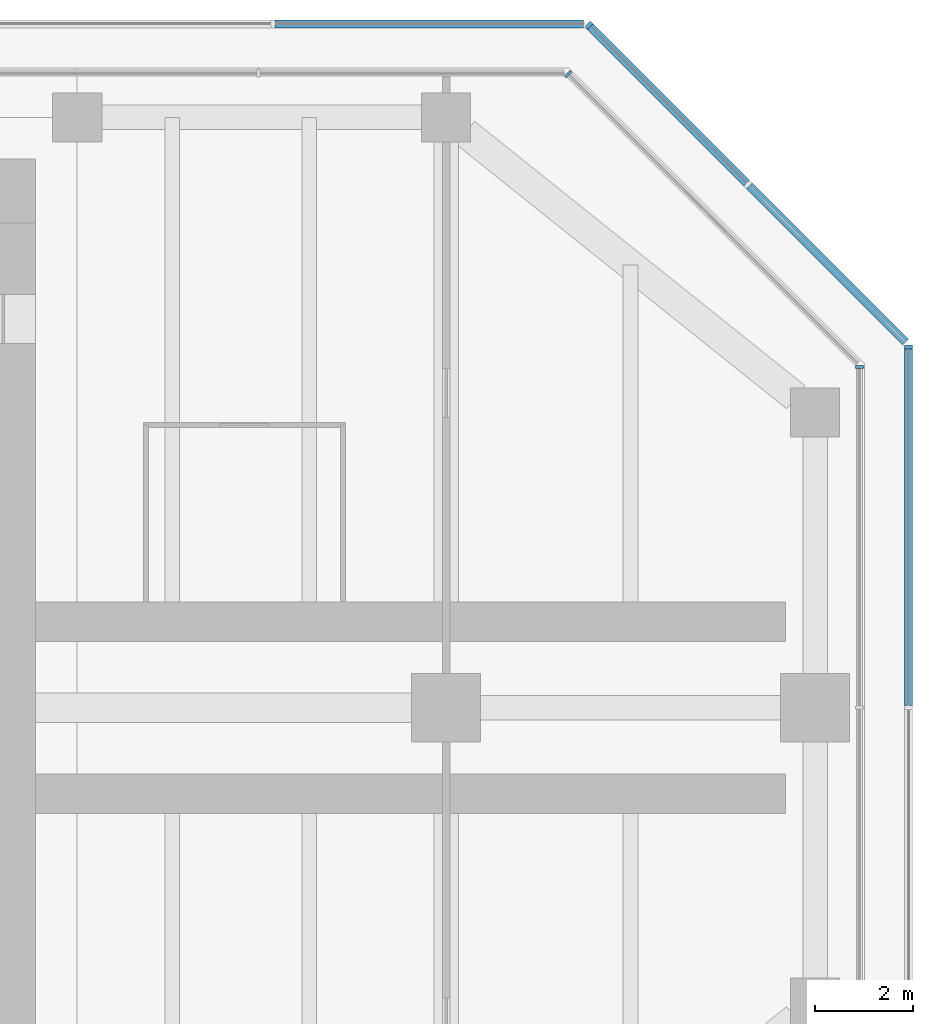
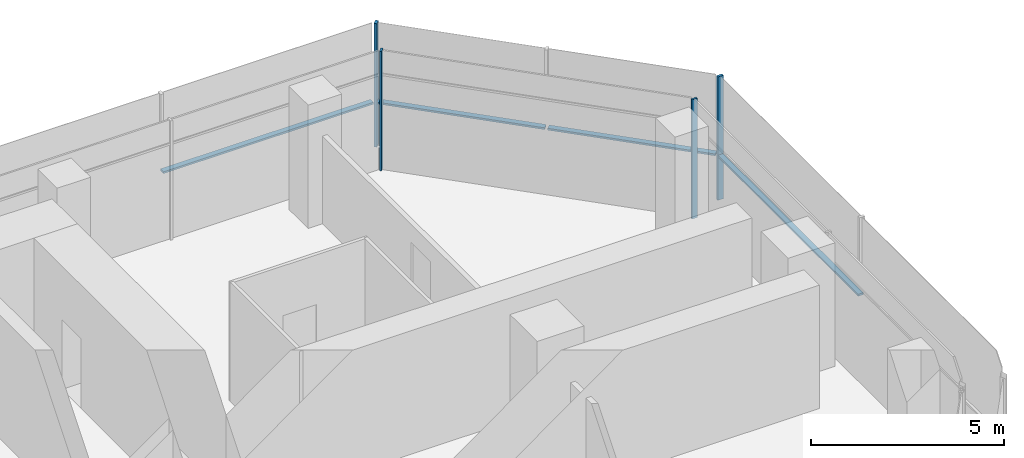
# One storey, part 8 of 15: 8 members, 5 elements without a shape of their own.
"""IFC4 building model written with IfcOpenShell, lengths in metres."""

from ifc_helpers import new_model, si_unit, direction, frame, origin, origin_2d, place, context, subcontext, project, spatial, rectangle, extrude, material, material_profile, profile_set, type_object, element, aggregate, save


model = new_model("IFC4")

# Units and contexts
model_context = context("Model", 3, precision=1e-05, world=origin(), true_north=direction((0.0, 1.0)))
body_context = subcontext(model_context, "Body", "Model", "MODEL_VIEW")
ifc_project = project(units=[si_unit("LENGTHUNIT", "METRE"), si_unit("AREAUNIT", "SQUARE_METRE"), si_unit("VOLUMEUNIT", "CUBIC_METRE"), si_unit("PLANEANGLEUNIT", "RADIAN"), si_unit("MASSUNIT", "GRAM", prefix="KILO")], contexts=[model_context])

# Site, building, storey
site_placement = place(None, origin())
site = spatial("IfcSite", under=ifc_project, at=site_placement, CompositionType="ELEMENT")
building_placement = place(site_placement, origin())
building = spatial("IfcBuilding", under=site, at=building_placement, Name="Mizan Broadcast Tower", CompositionType="ELEMENT")
storey_placement = place(building_placement, frame((0.0, 0.0, 298.5)))
storey = spatial("IfcBuildingStorey", under=building, at=storey_placement, Name="L71", CompositionType="ELEMENT", Elevation=298.5)

# Curtain wall, member
ifc_material_1 = material(Name="Aluminium framed glazing", Category="aluminium")
curtain_wall_type_1 = type_object("IfcCurtainWallType", Name="INNER SKIN TOP ZONE", PredefinedType="USERDEFINED", material=ifc_material_1)
curtain_wall_1_placement = place(storey_placement, origin())
curtain_wall_1 = element("IfcCurtainWall", 1, at=curtain_wall_1_placement, inside=storey, type_object=curtain_wall_type_1, Name="Inner skin top zone L71 E end", ObjectType="INNER SKIN TOP ZONE", PredefinedType="USERDEFINED")
ifc_material_2 = material(Name="Aluminium, pale anodised", Category="aluminium")
ifc_material_profile_1 = material_profile(ifc_material_2, rectangle(XDim=0.159912109375, YDim=0.06005859375, at=origin_2d()), Name="MULLION 160x60")
ifc_profile_set_1 = profile_set([ifc_material_profile_1], Name="Aluminium, pale anodised")
member_type_1 = type_object("IfcMemberType", Name="INNER SKIN MULLION 60x160", PredefinedType="MULLION", material=ifc_profile_set_1)
member_1_placement = place(storey_placement, frame((27.89990234375, 6.928466796875, 0.0), z_axis=(0.0, 0.0, 1.0), x_axis=(-1.0, 0.0, 0.0)))
member_1 = element("IfcMember", 2, at=member_1_placement, type_object=member_type_1, Name="Inner skin top zone L71 E end mullion 3", PredefinedType="MULLION", context=body_context, shape_type="SweptSolid", body=[
    extrude(rectangle(XDim=0.159912109375, YDim=0.06005859375, at=origin_2d()), origin(), (0.0, 0.0, 1.0), 3.77001953125),
])
aggregate(curtain_wall_1, [member_1])

curtain_wall_2_placement = place(storey_placement, origin())
curtain_wall_2 = element("IfcCurtainWall", 3, at=curtain_wall_2_placement, inside=storey, type_object=curtain_wall_type_1, Name="Inner skin top zone L71 E chamfer", ObjectType="INNER SKIN TOP ZONE", PredefinedType="USERDEFINED")
member_2_placement = place(storey_placement, frame((21.979736328125, 12.87890625, 0.0), z_axis=(0.0, 0.0, 1.0), x_axis=(-0.707106781187, -0.707106781187, 0.0)))
member_2 = element("IfcMember", 4, at=member_2_placement, type_object=member_type_1, Name="Inner skin top zone L71 E chamfer mullion 2", PredefinedType="MULLION", context=body_context, shape_type="SweptSolid", body=[
    extrude(rectangle(XDim=0.159912109375, YDim=0.06005859375, at=origin_2d()), origin(), (0.0, 0.0, 1.0), 3.77001953125),
])
aggregate(curtain_wall_2, [member_2])

ifc_material_3 = material(Name="Aluminium framed glazing", Category="aluminium")
curtain_wall_type_2 = type_object("IfcCurtainWallType", Name="OUTER SKIN", PredefinedType="USERDEFINED", material=ifc_material_3)
curtain_wall_3_placement = place(storey_placement, origin())
curtain_wall_3 = element("IfcCurtainWall", 5, at=curtain_wall_3_placement, inside=storey, type_object=curtain_wall_type_2, Name="Outer skin L71 E end", ObjectType="OUTER SKIN", PredefinedType="USERDEFINED")
ifc_material_4 = material(Name="Aluminium, pale anodised", Category="aluminium")
ifc_material_profile_2 = material_profile(ifc_material_4, rectangle(XDim=0.159912109375, YDim=0.080078125, at=origin_2d()), Name="MULLION 160x80")
ifc_profile_set_2 = profile_set([ifc_material_profile_2], Name="Aluminium, pale anodised")
member_type_2 = type_object("IfcMemberType", Name="OUTER SKIN MULLION 80x160", PredefinedType="MULLION", material=ifc_profile_set_2)
member_3_placement = place(storey_placement, frame((28.89990234375, 7.332763671875, 0.0), z_axis=(0.0, 0.0, 1.0), x_axis=(-1.0, 0.0, 0.0)))
member_3 = element("IfcMember", 6, at=member_3_placement, type_object=member_type_2, Name="Outer skin L71 E end mullion 3", PredefinedType="MULLION", context=body_context, shape_type="SweptSolid", body=[
    extrude(rectangle(XDim=0.159912109375, YDim=0.080078125, at=origin_2d()), origin(), (0.0, 0.0, 1.0), 3.89990234375),
])

curtain_wall_4_placement = place(storey_placement, origin())
curtain_wall_4 = element("IfcCurtainWall", 7, at=curtain_wall_4_placement, inside=storey, type_object=curtain_wall_type_2, Name="Outer skin L71 E chamfer", ObjectType="OUTER SKIN", PredefinedType="USERDEFINED")
member_4_placement = place(storey_placement, frame((22.401123046875, 13.871826171875, 0.0), z_axis=(0.0, 0.0, 1.0), x_axis=(-0.707106781187, -0.707106781187, 0.0)))
member_4 = element("IfcMember", 8, at=member_4_placement, type_object=member_type_2, Name="Outer skin L71 E chamfer mullion 3", PredefinedType="MULLION", context=body_context, shape_type="SweptSolid", body=[
    extrude(rectangle(XDim=0.159912109375, YDim=0.080078125, at=origin_2d()), origin(), (0.0, 0.0, 1.0), 3.89990234375),
])

# Member
ifc_material_5 = material(Name="Aluminium, pale anodised", Category="aluminium")
ifc_material_profile_3 = material_profile(ifc_material_5, rectangle(XDim=0.159912109375, YDim=0.06005859375, at=origin_2d()), Name="TRANSOM 160x60")
ifc_profile_set_3 = profile_set([ifc_material_profile_3], Name="Aluminium, pale anodised")
member_type_3 = type_object("IfcMemberType", Name="OUTER SKIN TRANSOM 60x160", PredefinedType="USERDEFINED", material=ifc_profile_set_3)
member_5_placement = place(storey_placement, frame((28.89990234375, 0.0400390625, 1.39990234375), z_axis=(0.0, 1.0, 0.0), x_axis=(-1.0, 0.0, 0.0)))
member_5 = element("IfcMember", 9, at=member_5_placement, type_object=member_type_3, Name="Outer skin L71 E end transom 2.1", ObjectType="TRANSOM", PredefinedType="USERDEFINED", context=body_context, shape_type="SweptSolid", body=[
    extrude(rectangle(XDim=0.159912109375, YDim=0.06005859375, at=origin_2d()), origin(), (0.0, 0.0, 1.0), 7.252685546875),
])

aggregate(curtain_wall_3, [member_3, member_5])

member_6_placement = place(storey_placement, frame((28.843505859375, 7.429443359375, 1.39990234375), z_axis=(-0.707106781187, 0.707106781187, 0.0), x_axis=(-0.707106781187, -0.707106781187, 0.0)))
member_6 = element("IfcMember", 10, at=member_6_placement, type_object=member_type_3, Name="Outer skin L71 E chamfer transom 1.1", ObjectType="TRANSOM", PredefinedType="USERDEFINED", context=body_context, shape_type="SweptSolid", body=[
    extrude(rectangle(XDim=0.159912109375, YDim=0.06005859375, at=origin_2d()), origin(), (0.0, 0.0, 1.0), 4.495361328125),
])

member_7_placement = place(storey_placement, frame((25.608154296875, 10.664794921875, 1.39990234375), z_axis=(-0.707106781187, 0.707106781187, 0.0), x_axis=(-0.707106781187, -0.707106781187, 0.0)))
member_7 = element("IfcMember", 11, at=member_7_placement, type_object=member_type_3, Name="Outer skin L71 E chamfer transom 2.1", ObjectType="TRANSOM", PredefinedType="USERDEFINED", context=body_context, shape_type="SweptSolid", body=[
    extrude(rectangle(XDim=0.159912109375, YDim=0.06005859375, at=origin_2d()), origin(), (0.0, 0.0, 1.0), 4.495361328125),
])

aggregate(curtain_wall_4, [member_4, member_6, member_7])

# Curtain wall, member
curtain_wall_5_placement = place(storey_placement, origin())
curtain_wall_5 = element("IfcCurtainWall", 12, at=curtain_wall_5_placement, inside=storey, type_object=curtain_wall_type_2, Name="Outer skin L71 N end", ObjectType="OUTER SKIN", PredefinedType="USERDEFINED")
member_8_placement = place(storey_placement, frame((22.292724609375, 13.89990234375, 1.39990234375), z_axis=(-1.0, 0.0, 0.0), x_axis=(0.0, -1.0, 0.0)))
member_8 = element("IfcMember", 13, at=member_8_placement, type_object=member_type_3, Name="Outer skin L71 N end transom 1.1", ObjectType="TRANSOM", PredefinedType="USERDEFINED", context=body_context, shape_type="SweptSolid", body=[
    extrude(rectangle(XDim=0.159912109375, YDim=0.06005859375, at=origin_2d()), origin(), (0.0, 0.0, 1.0), 6.272216796875),
])
aggregate(curtain_wall_5, [member_8])

save(model, "model.ifc")
